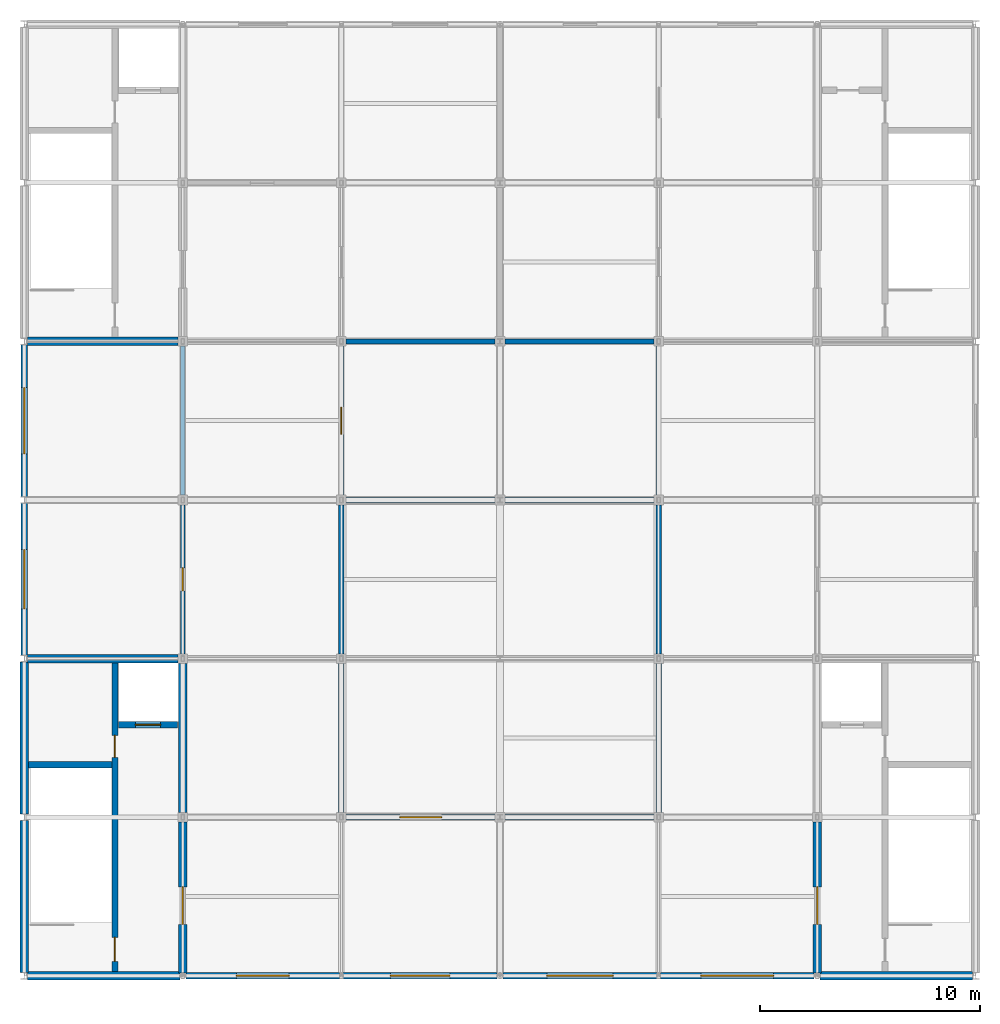
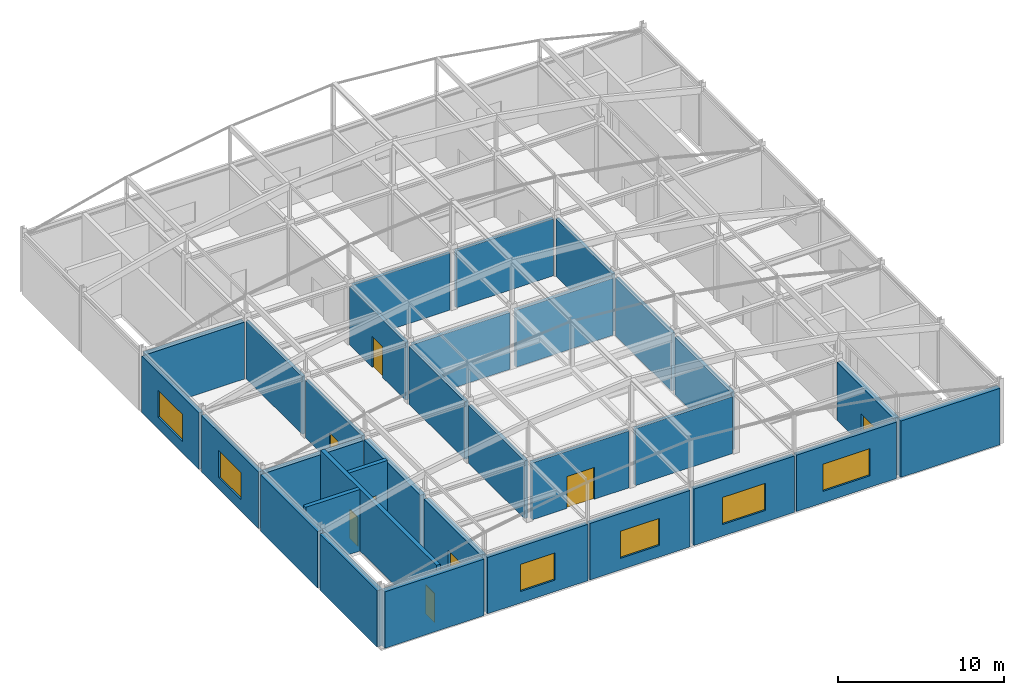
# One storey, part 20 of 23: 32 walls, 8 doors, 6 windows, 14 openings.
"""IFC4 building model written with IfcOpenShell, lengths in metres."""

import ifcopenshell
import ifcopenshell.guid

model = None  # the IFC model being written
_history = None  # IfcOwnerHistory: only IFC2X3 demands one
_inside = {}  # id of a spatial element -> (the spatial element, [elements in it])
_under = {}  # id of a project, library or spatial element -> (it, [spatial elements below it])
_declared = {}  # id of a project -> (the project, [libraries it declares])
_typed = {}  # id of a type object -> (the type object, [elements of that type])
_made_of = {}  # id of a material, layer set ... -> (it, [elements and type objects made of it])


def new_model(schema):
    """Start an empty IFC model of exactly this schema.

    Asked for "IFC4X3", IfcOpenShell would pick the latest addendum, in which some entities
    have other attributes; the version numbers below select the first issue.
    IFC2X3 requires an IfcOwnerHistory on every rooted entity: one is made here for all.
    """
    global model, _history
    if schema == "IFC4X3":
        model = ifcopenshell.file(schema_version=(4, 3, 0, 0))
    else:
        model = ifcopenshell.file(schema=schema)
    _inside.clear()
    _under.clear()
    _declared.clear()
    _typed.clear()
    _made_of.clear()
    _history = None
    if model.schema == "IFC2X3":
        org = make("IfcOrganization", Name="unknown")
        user = make(
            "IfcPersonAndOrganization",
            ThePerson=make("IfcPerson", FamilyName="unknown"),
            TheOrganization=org,
        )
        app = make(
            "IfcApplication",
            ApplicationDeveloper=org,
            Version="unknown",
            ApplicationFullName="unknown",
            ApplicationIdentifier="unknown",
        )
        _history = make(
            "IfcOwnerHistory",
            OwningUser=user,
            OwningApplication=app,
            ChangeAction="ADDED",
            CreationDate=0,
        )
    return model


def make(cls, **values):
    """One entity of the class cls with the attributes given. An attribute that is None is left unset."""
    return model.create_entity(
        cls, **{name: value for name, value in values.items() if value is not None}
    )


def rooted(cls, **values):
    """An entity with a GlobalId (a new one), such as an element, a storey or a relation."""
    return make(cls, GlobalId=ifcopenshell.guid.new(), OwnerHistory=_history, **values)


def si_unit(unit_type, name, prefix=None):
    """IfcSIUnit, for example si_unit("LENGTHUNIT", "METRE", prefix="MILLI")."""
    return make("IfcSIUnit", UnitType=unit_type, Prefix=prefix, Name=name)


def assignment(units):
    """IfcUnitAssignment: the units of a project."""
    return None if units is None else make("IfcUnitAssignment", Units=units)


def point(xyz):
    """IfcCartesianPoint."""
    return None if xyz is None else make("IfcCartesianPoint", Coordinates=xyz)


def direction(xyz):
    """IfcDirection."""
    return None if xyz is None else make("IfcDirection", DirectionRatios=xyz)


def frame(location, z_axis=None, x_axis=None):
    """IfcAxis2Placement3D, a coordinate frame: its origin and axes. An axis left out is left unset."""
    return make(
        "IfcAxis2Placement3D",
        Location=point(location),
        Axis=direction(z_axis),
        RefDirection=direction(x_axis),
    )


def frame_2d(location, x_axis=None):
    """IfcAxis2Placement2D, a coordinate frame in the plane: its origin and x axis."""
    return make(
        "IfcAxis2Placement2D", Location=point(location), RefDirection=direction(x_axis)
    )


def origin():
    """The frame at (0, 0, 0) with its axes left unset."""
    return frame((0.0, 0.0, 0.0))


def place(relative_to, where):
    """IfcLocalPlacement: puts the frame where relative to a parent placement (None: the world)."""
    return make(
        "IfcLocalPlacement", PlacementRelTo=relative_to, RelativePlacement=where
    )


def context(
    kind, dimensions, precision=None, world=None, true_north=None, identifier=None
):
    """IfcGeometricRepresentationContext, for example the 3D "Model" context."""
    return make(
        "IfcGeometricRepresentationContext",
        ContextIdentifier=identifier,
        ContextType=kind,
        CoordinateSpaceDimension=dimensions,
        Precision=precision,
        WorldCoordinateSystem=world,
        TrueNorth=true_north,
    )


def subcontext(parent, identifier, kind, view, scale=None):
    """IfcGeometricRepresentationSubContext, for example "Body" below "Model"."""
    return make(
        "IfcGeometricRepresentationSubContext",
        ContextIdentifier=identifier,
        ContextType=kind,
        ParentContext=parent,
        TargetScale=scale,
        TargetView=view,
    )


def project(units=None, contexts=None):
    """IfcProject with its units and contexts."""
    return rooted(
        "IfcProject",
        Name="project",
        RepresentationContexts=contexts,
        UnitsInContext=assignment(units),
    )


def spatial(cls, under=None, at=None, **own):
    """A site, building, storey or space (cls), placed at a placement, below another one or the project."""
    s = rooted(cls, ObjectPlacement=at, **own)
    if under is not None:
        _under.setdefault(under.id(), (under, []))[1].append(s)
    return s


def profile(cls, at=None, kind="AREA", **sizes):
    """A parametric profile (cls). Its sizes go by their IFC names, for example OverallWidth=200.0."""
    return make(cls, ProfileType=kind, Position=at, **sizes)


def rectangle(**sizes):
    """IfcRectangleProfileDef."""
    return profile("IfcRectangleProfileDef", **sizes)


def extrude(swept, where, along, depth):
    """IfcExtrudedAreaSolid: the profile swept, set in the frame where, extruded along a direction by depth."""
    return make(
        "IfcExtrudedAreaSolid",
        SweptArea=swept,
        Position=where,
        ExtrudedDirection=direction(along),
        Depth=depth,
    )


def shape(context_of_items, identifier, shape_type, items):
    """IfcShapeRepresentation: the items that make up one representation, for example the "Body"."""
    return make(
        "IfcShapeRepresentation",
        ContextOfItems=context_of_items,
        RepresentationIdentifier=identifier,
        RepresentationType=shape_type,
        Items=items,
    )


def material(Name=None, Category=None):
    """IfcMaterial."""
    return make("IfcMaterial", Name=Name, Category=Category)


def layer(
    of_material, thickness, ventilated=None, Name=None, Category=None, Priority=None
):
    """IfcMaterialLayer: one layer of a wall or slab, of a material (None: an air gap)."""
    return make(
        "IfcMaterialLayer",
        Material=of_material,
        LayerThickness=thickness,
        IsVentilated=ventilated,
        Name=Name,
        Category=Category,
        Priority=Priority,
    )


def layer_set(layers, Name=None):
    """IfcMaterialLayerSet."""
    return make("IfcMaterialLayerSet", MaterialLayers=layers, LayerSetName=Name)


def made_of(thing, what):
    """Note that an element or type object is made of a material, layer set ...; save() writes the relation."""
    if what is not None:
        _made_of.setdefault(what.id(), (what, []))[1].append(thing)
    return thing


def type_object(cls, material=None, **own):
    """A type object (cls), such as IfcWallType, which elements share."""
    return made_of(rooted(cls, **own), material)


def element(
    cls,
    number,
    at=None,
    inside=None,
    cuts=None,
    type_object=None,
    material=None,
    context=None,
    identifier="Body",
    shape_type=None,
    held_by="IfcProductDefinitionShape",
    body=None,
    shapes=None,
    **own,
):
    """One element of the class cls, such as IfcWall. Its Tag is "e" and its number.

    at: its placement. inside: the storey or other place that contains it. cuts: it is an
    opening in that element (IfcRelVoidsElement). A single representation is given by context,
    identifier, shape_type and body (its items); several are given by shapes. held_by: the class
    of the entity that holds the representations. save() writes the other relations.
    """
    e = rooted(cls, Tag="e%d" % number, ObjectPlacement=at, **own)
    if body is not None:
        shapes = [shape(context, identifier, shape_type, body)]
    if shapes is not None:
        e.Representation = make(held_by, Representations=shapes)
    if inside is not None:
        _inside.setdefault(inside.id(), (inside, []))[1].append(e)
    if cuts is not None:
        rooted(
            "IfcRelVoidsElement", RelatingBuildingElement=cuts, RelatedOpeningElement=e
        )
    if type_object is not None:
        _typed.setdefault(type_object.id(), (type_object, []))[1].append(e)
    return made_of(e, material)


def fill(opening, filler):
    """IfcRelFillsElement: the door or window that sits in an opening."""
    return rooted(
        "IfcRelFillsElement",
        RelatingOpeningElement=opening,
        RelatedBuildingElement=filler,
    )


def aggregate(whole, parts):
    """IfcRelAggregates: a whole, such as a stair, and the parts it consists of."""
    return rooted("IfcRelAggregates", RelatingObject=whole, RelatedObjects=parts)


def save(model, path):
    """Write the relations noted so far, then the file.

    IfcRelAggregates (storeys below a building ...), IfcRelContainedInSpatialStructure (elements
    in a storey), IfcRelDefinesByType, IfcRelAssociatesMaterial and IfcRelDeclares: one each for
    every whole, place, type object, material and project.
    """
    for whole, parts in _under.values():
        aggregate(whole, parts)
    for where, things in _inside.values():
        rooted(
            "IfcRelContainedInSpatialStructure",
            RelatedElements=things,
            RelatingStructure=where,
        )
    for kind, things in _typed.values():
        rooted("IfcRelDefinesByType", RelatedObjects=things, RelatingType=kind)
    for what, things in _made_of.values():
        rooted("IfcRelAssociatesMaterial", RelatedObjects=things, RelatingMaterial=what)
    for by, libraries in _declared.values():
        rooted("IfcRelDeclares", RelatingContext=by, RelatedDefinitions=libraries)
    model.write(path)


model = new_model("IFC4")

# Units and contexts
model_context = context("Model", 3, precision=1e-05, world=origin(), true_north=direction((0.0, 1.0)))
body_context = subcontext(model_context, "Body", "Model", "MODEL_VIEW")
ifc_project = project(units=[si_unit("LENGTHUNIT", "METRE"), si_unit("AREAUNIT", "SQUARE_METRE"), si_unit("VOLUMEUNIT", "CUBIC_METRE"), si_unit("PLANEANGLEUNIT", "RADIAN"), si_unit("MASSUNIT", "GRAM", prefix="KILO")], contexts=[model_context])

# Site, building, storey
site_placement = place(None, origin())
site = spatial("IfcSite", under=ifc_project, at=site_placement, CompositionType="ELEMENT")
building_placement = place(site_placement, origin())
building = spatial("IfcBuilding", under=site, at=building_placement, Name="Cendaluz Park School", CompositionType="ELEMENT")
storey_placement = place(building_placement, frame((0.0, 0.0, 67.199951171875)))
storey = spatial("IfcBuildingStorey", under=building, at=storey_placement, Name="L16", CompositionType="ELEMENT", Elevation=67.199951171875)

# Wall, opening, door
ifc_material_1 = material(Name="Gypsum Plasterboard on Cold-Formed Stud", Category="gypsum")
ifc_layer_1 = layer(ifc_material_1, 0.25)
ifc_layer_set_1 = layer_set([ifc_layer_1], Name="Gypsum Plasterboard on Cold-Formed Stud")
wall_type_1 = type_object("IfcWallType", Name="W-CP25", PredefinedType="PARTITIONING", material=ifc_layer_set_1)
wall_1_placement = place(storey_placement, frame((79.419921875, 21.60009765625, 0.0), z_axis=(0.0, 0.0, 1.0), x_axis=(1.0, 0.0, 0.0)))
wall_1 = element("IfcWall", 1, at=wall_1_placement, inside=storey, type_object=wall_type_1, Name="WL-FQ-BI8", PredefinedType="PARTITIONING", context=body_context, shape_type="SweptSolid", body=[
    extrude(rectangle(XDim=6.760009765625, YDim=0.25, at=frame_2d((3.3798828125, 0.0))), origin(), (0.0, 0.0, 1.0), 4.199951171875),
])
opening_1_placement = place(wall_1_placement, frame((2.429931640625, 0.0, 0.0)))
opening_1 = element("IfcOpeningElement", 2, at=opening_1_placement, cuts=wall_1, Name="Opening DHL-01", PredefinedType="OPENING", context=body_context, shape_type="SweptSolid", body=[
    extrude(rectangle(XDim=1.89990234375, YDim=2.35009765625, at=frame_2d((0.949951171875, 1.175048828125))), frame((0.0, 0.136962890625, 0.0), z_axis=(0.0, -1.0, 0.0), x_axis=(1.0, 0.0, 0.0)), (0.0, 0.0, 1.0), 0.27392578125),
])
ifc_material_2 = material(Name="Solid Core Hardwood", Category="wood")
door_type_1 = type_object("IfcDoorType", Name="DHL-01", OperationType="DOUBLE_DOOR_SINGLE_SWING", PredefinedType="DOOR", material=ifc_material_2)
door_1_placement = place(opening_1_placement, frame((1.89990234375, 0.0, 0.0), z_axis=(0.0, 0.0, 1.0), x_axis=(-1.0, 0.0, 0.0)))
door_1 = element("IfcDoor", 3, at=door_1_placement, inside=storey, type_object=door_type_1, Name="D-L16-017", OperationType="DOUBLE_DOOR_SINGLE_SWING", OverallHeight=2.35009765625, OverallWidth=1.89990234375, PredefinedType="DOOR", context=body_context, shape_type="SweptSolid", body=[
    extrude(rectangle(XDim=1.89990234375, YDim=2.35009765625, at=frame_2d((0.949951171875, 1.175048828125))), frame((0.0, 0.02490234375, 0.0), z_axis=(0.0, -1.0, 0.0), x_axis=(1.0, 0.0, 0.0)), (0.0, 0.0, 1.0), 0.050048828125),
])
fill(opening_1, door_1)

# Walls
wall_2_placement = place(storey_placement, frame((79.199951171875, 21.820068359375, 0.0), z_axis=(0.0, 0.0, 1.0), x_axis=(0.0, 1.0, 0.0)))
element("IfcWall", 4, at=wall_2_placement, inside=storey, type_object=wall_type_1, Name="WL-FQ-BI9", PredefinedType="PARTITIONING", context=body_context, shape_type="SweptSolid", body=[
    extrude(rectangle(XDim=6.760009765625, YDim=0.25, at=frame_2d((3.3798828125, 0.0))), origin(), (0.0, 0.0, 1.0), 4.260009765625),
])
wall_3_placement = place(storey_placement, frame((79.419921875, 36.0, 0.0), z_axis=(0.0, 0.0, 1.0), x_axis=(1.0, 0.0, 0.0)))
element("IfcWall", 5, at=wall_3_placement, inside=storey, type_object=wall_type_1, Name="WL-FQ-BJ0", PredefinedType="PARTITIONING", context=body_context, shape_type="SweptSolid", body=[
    extrude(rectangle(XDim=6.760009765625, YDim=0.25, at=frame_2d((3.3798828125, 0.0))), origin(), (0.0, 0.0, 1.0), 4.199951171875),
])
wall_4_placement = place(storey_placement, frame((79.199951171875, 29.02001953125, 0.0), z_axis=(0.0, 0.0, 1.0), x_axis=(0.0, 1.0, 0.0)))
element("IfcWall", 6, at=wall_4_placement, inside=storey, type_object=wall_type_1, Name="WL-FQ-BJ1", PredefinedType="PARTITIONING", context=body_context, shape_type="SweptSolid", body=[
    extrude(rectangle(XDim=6.760009765625, YDim=0.25, at=frame_2d((3.3798828125, 0.0))), origin(), (0.0, 0.0, 1.0), 4.260009765625),
])
wall_5_placement = place(storey_placement, frame((86.6201171875, 21.60009765625, 0.0), z_axis=(0.0, 0.0, 1.0), x_axis=(1.0, 0.0, 0.0)))
element("IfcWall", 7, at=wall_5_placement, inside=storey, type_object=wall_type_1, Name="WL-FQ-BJ2", PredefinedType="PARTITIONING", context=body_context, shape_type="SweptSolid", body=[
    extrude(rectangle(XDim=6.759765625, YDim=0.25, at=frame_2d((3.3798828125, 0.0))), origin(), (0.0, 0.0, 1.0), 4.199951171875),
])
wall_6_placement = place(storey_placement, frame((93.60009765625, 21.820068359375, 0.0), z_axis=(0.0, 0.0, 1.0), x_axis=(0.0, 1.0, 0.0)))
element("IfcWall", 8, at=wall_6_placement, inside=storey, type_object=wall_type_1, Name="WL-FQ-BJ3", PredefinedType="PARTITIONING", context=body_context, shape_type="SweptSolid", body=[
    extrude(rectangle(XDim=6.760009765625, YDim=0.25, at=frame_2d((3.3798828125, 0.0))), origin(), (0.0, 0.0, 1.0), 4.260009765625),
])
wall_7_placement = place(storey_placement, frame((86.6201171875, 36.0, 0.0), z_axis=(0.0, 0.0, 1.0), x_axis=(1.0, 0.0, 0.0)))
element("IfcWall", 9, at=wall_7_placement, inside=storey, type_object=wall_type_1, Name="WL-FQ-BJ4", PredefinedType="PARTITIONING", context=body_context, shape_type="SweptSolid", body=[
    extrude(rectangle(XDim=6.759765625, YDim=0.25, at=frame_2d((3.3798828125, 0.0))), origin(), (0.0, 0.0, 1.0), 4.199951171875),
])
wall_8_placement = place(storey_placement, frame((93.60009765625, 29.02001953125, 0.0), z_axis=(0.0, 0.0, 1.0), x_axis=(0.0, 1.0, 0.0)))
element("IfcWall", 10, at=wall_8_placement, inside=storey, type_object=wall_type_1, Name="WL-FQ-BJ5", PredefinedType="PARTITIONING", context=body_context, shape_type="SweptSolid", body=[
    extrude(rectangle(XDim=6.760009765625, YDim=0.25, at=frame_2d((3.3798828125, 0.0))), origin(), (0.0, 0.0, 1.0), 4.260009765625),
])

# Wall, opening, window
ifc_material_3 = material(Name="Cross-laminated timber CLT C24", Category="wood")
ifc_layer_2 = layer(ifc_material_3, 0.300048828125)
ifc_layer_set_2 = layer_set([ifc_layer_2], Name="Cross-laminated timber CLT C24")
wall_type_2 = type_object("IfcWallType", Name="W-EX30", PredefinedType="SOLIDWALL", material=ifc_layer_set_2)
wall_9_placement = place(storey_placement, frame((64.800048828125, 28.949951171875, 0.0), z_axis=(0.0, 0.0, 1.0), x_axis=(0.0, 1.0, 0.0)))
wall_9 = element("IfcWall", 11, at=wall_9_placement, inside=storey, type_object=wall_type_2, Name="WL-FQ-AA0", PredefinedType="SOLIDWALL", context=body_context, shape_type="SweptSolid", body=[
    extrude(rectangle(XDim=6.905029296875, YDim=0.300048828125, at=frame_2d((3.45263671875, 0.0))), origin(), (0.0, 0.0, 1.0), 4.16015625),
])
opening_2_placement = place(wall_9_placement, frame((2.1025390625, 0.0, 0.85009765625)))
opening_2 = element("IfcOpeningElement", 12, at=opening_2_placement, cuts=wall_9, Name="Opening WN-13", PredefinedType="OPENING", context=body_context, shape_type="SweptSolid", body=[
    extrude(rectangle(XDim=2.699951171875, YDim=2.0, at=frame_2d((1.35009765625, 1.0))), frame((0.0, 0.162109375, 0.0), z_axis=(0.0, -1.0, 0.0), x_axis=(1.0, 0.0, 0.0)), (0.0, 0.0, 1.0), 0.323974609375),
])
ifc_material_4 = material(Name="Tempered Low-E Double Glazing", Category="glass")
window_type_1 = type_object("IfcWindowType", Name="WN-13", PartitioningType="SINGLE_PANEL", PredefinedType="WINDOW", material=ifc_material_4)
window_1_placement = place(opening_2_placement, origin())
window_1 = element("IfcWindow", 13, at=window_1_placement, inside=storey, type_object=window_type_1, Name="WN-L16-001", OverallHeight=2.0, OverallWidth=2.699951171875, PartitioningType="SINGLE_PANEL", PredefinedType="WINDOW", context=body_context, shape_type="SweptSolid", body=[
    extrude(rectangle(XDim=2.699951171875, YDim=2.0, at=frame_2d((1.35009765625, 1.0))), frame((0.0, 0.030029296875, 0.0), z_axis=(0.0, -1.0, 0.0), x_axis=(1.0, 0.0, 0.0)), (0.0, 0.0, 1.0), 0.06005859375),
])
fill(opening_2, window_1)

wall_10_placement = place(storey_placement, frame((64.800048828125, 36.14501953125, 0.0), z_axis=(0.0, 0.0, 1.0), x_axis=(0.0, 1.0, 0.0)))
wall_10 = element("IfcWall", 14, at=wall_10_placement, inside=storey, type_object=wall_type_2, Name="WL-FQ-AA1", PredefinedType="SOLIDWALL", context=body_context, shape_type="SweptSolid", body=[
    extrude(rectangle(XDim=6.905029296875, YDim=0.300048828125, at=frame_2d((3.45263671875, 0.0))), origin(), (0.0, 0.0, 1.0), 4.16015625),
])
opening_3_placement = place(wall_10_placement, frame((1.952392578125, 0.0, 0.85009765625)))
opening_3 = element("IfcOpeningElement", 15, at=opening_3_placement, cuts=wall_10, Name="Opening WN-14", PredefinedType="OPENING", context=body_context, shape_type="SweptSolid", body=[
    extrude(rectangle(XDim=3.0, YDim=2.0, at=frame_2d((1.5, 1.0))), frame((0.0, 0.162109375, 0.0), z_axis=(0.0, -1.0, 0.0), x_axis=(1.0, 0.0, 0.0)), (0.0, 0.0, 1.0), 0.323974609375),
])
window_type_2 = type_object("IfcWindowType", Name="WN-14", PartitioningType="SINGLE_PANEL", PredefinedType="WINDOW", material=ifc_material_4)
window_2_placement = place(opening_3_placement, origin())
window_2 = element("IfcWindow", 16, at=window_2_placement, inside=storey, type_object=window_type_2, Name="WN-L16-002", OverallHeight=2.0, OverallWidth=3.0, PartitioningType="SINGLE_PANEL", PredefinedType="WINDOW", context=body_context, shape_type="SweptSolid", body=[
    extrude(rectangle(XDim=3.0, YDim=2.0, at=frame_2d((1.5, 1.0))), frame((0.0, 0.030029296875, 0.0), z_axis=(0.0, -1.0, 0.0), x_axis=(1.0, 0.0, 0.0)), (0.0, 0.0, 1.0), 0.06005859375),
])
fill(opening_3, window_2)

wall_11_placement = place(storey_placement, frame((72.136474609375, 14.39990234375, 0.0), z_axis=(0.0, 0.0, 1.0), x_axis=(1.0, 0.0, 0.0)))
wall_11 = element("IfcWall", 17, at=wall_11_placement, inside=storey, type_object=wall_type_2, Name="WL-FQ-AA2", PredefinedType="SOLIDWALL", context=body_context, shape_type="SweptSolid", body=[
    extrude(rectangle(XDim=6.988525390625, YDim=0.300048828125, at=frame_2d((3.494140625, 0.0))), origin(), (0.0, 0.0, 1.0), 4.16015625),
])
opening_4_placement = place(wall_11_placement, frame((2.294189453125, 0.0, 0.85009765625)))
opening_4 = element("IfcOpeningElement", 18, at=opening_4_placement, cuts=wall_11, Name="Opening WN-12", PredefinedType="OPENING", context=body_context, shape_type="SweptSolid", body=[
    extrude(rectangle(XDim=2.39990234375, YDim=2.0, at=frame_2d((1.199951171875, 1.0))), frame((0.0, 0.162109375, 0.0), z_axis=(0.0, -1.0, 0.0), x_axis=(1.0, 0.0, 0.0)), (0.0, 0.0, 1.0), 0.323974609375),
])
window_type_3 = type_object("IfcWindowType", Name="WN-12", PartitioningType="SINGLE_PANEL", PredefinedType="WINDOW", material=ifc_material_4)
window_3_placement = place(opening_4_placement, origin())
window_3 = element("IfcWindow", 19, at=window_3_placement, inside=storey, type_object=window_type_3, Name="WN-L16-003", OverallHeight=2.0, OverallWidth=2.39990234375, PartitioningType="SINGLE_PANEL", PredefinedType="WINDOW", context=body_context, shape_type="SweptSolid", body=[
    extrude(rectangle(XDim=2.39990234375, YDim=2.0, at=frame_2d((1.199951171875, 1.0))), frame((0.0, 0.030029296875, 0.0), z_axis=(0.0, -1.0, 0.0), x_axis=(1.0, 0.0, 0.0)), (0.0, 0.0, 1.0), 0.06005859375),
])
fill(opening_4, window_3)

wall_12_placement = place(storey_placement, frame((79.27490234375, 14.39990234375, 0.0), z_axis=(0.0, 0.0, 1.0), x_axis=(1.0, 0.0, 0.0)))
wall_12 = element("IfcWall", 20, at=wall_12_placement, inside=storey, type_object=wall_type_2, Name="WL-FQ-AA4", PredefinedType="SOLIDWALL", context=body_context, shape_type="SweptSolid", body=[
    extrude(rectangle(XDim=6.988525390625, YDim=0.300048828125, at=frame_2d((3.494140625, 0.0))), origin(), (0.0, 0.0, 1.0), 4.16015625),
])
opening_5_placement = place(wall_12_placement, frame((2.144287109375, 0.0, 0.85009765625)))
opening_5 = element("IfcOpeningElement", 21, at=opening_5_placement, cuts=wall_12, Name="Opening WN-13", PredefinedType="OPENING", context=body_context, shape_type="SweptSolid", body=[
    extrude(rectangle(XDim=2.699951171875, YDim=2.0, at=frame_2d((1.35009765625, 1.0))), frame((0.0, 0.162109375, 0.0), z_axis=(0.0, -1.0, 0.0), x_axis=(1.0, 0.0, 0.0)), (0.0, 0.0, 1.0), 0.323974609375),
])
window_4_placement = place(opening_5_placement, origin())
window_4 = element("IfcWindow", 22, at=window_4_placement, inside=storey, type_object=window_type_1, Name="WN-L16-005", OverallHeight=2.0, OverallWidth=2.699951171875, PartitioningType="SINGLE_PANEL", PredefinedType="WINDOW", context=body_context, shape_type="SweptSolid", body=[
    extrude(rectangle(XDim=2.699951171875, YDim=2.0, at=frame_2d((1.35009765625, 1.0))), frame((0.0, 0.030029296875, 0.0), z_axis=(0.0, -1.0, 0.0), x_axis=(1.0, 0.0, 0.0)), (0.0, 0.0, 1.0), 0.06005859375),
])
fill(opening_5, window_4)

wall_13_placement = place(storey_placement, frame((86.53662109375, 14.39990234375, 0.0), z_axis=(0.0, 0.0, 1.0), x_axis=(1.0, 0.0, 0.0)))
wall_13 = element("IfcWall", 23, at=wall_13_placement, inside=storey, type_object=wall_type_2, Name="WL-FQ-AA6", PredefinedType="SOLIDWALL", context=body_context, shape_type="SweptSolid", body=[
    extrude(rectangle(XDim=6.98828125, YDim=0.300048828125, at=frame_2d((3.494140625, 0.0))), origin(), (0.0, 0.0, 1.0), 4.16015625),
])
opening_6_placement = place(wall_13_placement, frame((1.994384765625, 0.0, 0.85009765625)))
opening_6 = element("IfcOpeningElement", 24, at=opening_6_placement, cuts=wall_13, Name="Opening WN-14", PredefinedType="OPENING", context=body_context, shape_type="SweptSolid", body=[
    extrude(rectangle(XDim=3.0, YDim=2.0, at=frame_2d((1.5, 1.0))), frame((0.0, 0.162109375, 0.0), z_axis=(0.0, -1.0, 0.0), x_axis=(1.0, 0.0, 0.0)), (0.0, 0.0, 1.0), 0.323974609375),
])
window_5_placement = place(opening_6_placement, origin())
window_5 = element("IfcWindow", 25, at=window_5_placement, inside=storey, type_object=window_type_2, Name="WN-L16-007", OverallHeight=2.0, OverallWidth=3.0, PartitioningType="SINGLE_PANEL", PredefinedType="WINDOW", context=body_context, shape_type="SweptSolid", body=[
    extrude(rectangle(XDim=3.0, YDim=2.0, at=frame_2d((1.5, 1.0))), frame((0.0, 0.030029296875, 0.0), z_axis=(0.0, -1.0, 0.0), x_axis=(1.0, 0.0, 0.0)), (0.0, 0.0, 1.0), 0.06005859375),
])
fill(opening_6, window_5)

wall_14_placement = place(storey_placement, frame((93.675048828125, 14.39990234375, 0.0), z_axis=(0.0, 0.0, 1.0), x_axis=(1.0, 0.0, 0.0)))
wall_14 = element("IfcWall", 26, at=wall_14_placement, inside=storey, type_object=wall_type_2, Name="WL-FQ-AA8", PredefinedType="SOLIDWALL", context=body_context, shape_type="SweptSolid", body=[
    extrude(rectangle(XDim=6.988525390625, YDim=0.300048828125, at=frame_2d((3.494140625, 0.0))), origin(), (0.0, 0.0, 1.0), 4.16015625),
])
opening_7_placement = place(wall_14_placement, frame((1.84423828125, 0.0, 0.85009765625)))
opening_7 = element("IfcOpeningElement", 27, at=opening_7_placement, cuts=wall_14, Name="Opening WN-15", PredefinedType="OPENING", context=body_context, shape_type="SweptSolid", body=[
    extrude(rectangle(XDim=3.300048828125, YDim=2.0, at=frame_2d((1.64990234375, 1.0))), frame((0.0, 0.162109375, 0.0), z_axis=(0.0, -1.0, 0.0), x_axis=(1.0, 0.0, 0.0)), (0.0, 0.0, 1.0), 0.323974609375),
])
window_type_4 = type_object("IfcWindowType", Name="WN-15", PartitioningType="SINGLE_PANEL", PredefinedType="WINDOW", material=ifc_material_4)
window_6_placement = place(opening_7_placement, origin())
window_6 = element("IfcWindow", 28, at=window_6_placement, inside=storey, type_object=window_type_4, Name="WN-L16-009", OverallHeight=2.0, OverallWidth=3.300048828125, PartitioningType="SINGLE_PANEL", PredefinedType="WINDOW", context=body_context, shape_type="SweptSolid", body=[
    extrude(rectangle(XDim=3.300048828125, YDim=2.0, at=frame_2d((1.64990234375, 1.0))), frame((0.0, 0.030029296875, 0.0), z_axis=(0.0, -1.0, 0.0), x_axis=(1.0, 0.0, 0.0)), (0.0, 0.0, 1.0), 0.06005859375),
])
fill(opening_7, window_6)

# Wall, openings, doors
ifc_material_5 = material(Name="Concrete C40/50", Category="concrete")
ifc_layer_3 = layer(ifc_material_5, 0.280029296875)
ifc_layer_set_3 = layer_set([ifc_layer_3], Name="Concrete C40/50")
wall_type_3 = type_object("IfcWallType", Name="W-FW28", PredefinedType="SHEAR", material=ifc_layer_set_3)
wall_15_placement = place(storey_placement, frame((68.919921875, 14.60009765625, 0.0), z_axis=(0.0, 0.0, 1.0), x_axis=(0.0, 1.0, 0.0)))
wall_15 = element("IfcWall", 29, at=wall_15_placement, inside=storey, type_object=wall_type_3, Name="WL-FQ-BF8", PredefinedType="SHEAR", context=body_context, shape_type="SweptSolid", body=[
    extrude(rectangle(XDim=14.0, YDim=0.280029296875, at=frame_2d((7.0, 0.0))), origin(), (0.0, 0.0, 1.0), 4.5400390625),
])
opening_8_placement = place(wall_15_placement, frame((0.449951171875, 0.0, 0.0)))
opening_8 = element("IfcOpeningElement", 30, at=opening_8_placement, cuts=wall_15, Name="Opening DST-01", PredefinedType="OPENING", context=body_context, shape_type="SweptSolid", body=[
    extrude(rectangle(XDim=1.10009765625, YDim=2.14990234375, at=frame_2d((0.550048828125, 1.074951171875))), frame((0.0, 0.152099609375, 0.0), z_axis=(0.0, -1.0, 0.0), x_axis=(1.0, 0.0, 0.0)), (0.0, 0.0, 1.0), 0.303955078125),
])
opening_9_placement = place(wall_15_placement, frame((9.719970703125, 0.0, 0.0)))
opening_9 = element("IfcOpeningElement", 31, at=opening_9_placement, cuts=wall_15, Name="Opening DFC-01", PredefinedType="OPENING", context=body_context, shape_type="SweptSolid", body=[
    extrude(rectangle(XDim=1.0, YDim=2.14990234375, at=frame_2d((0.5, 1.074951171875))), frame((0.0, 0.152099609375, 0.0), z_axis=(0.0, -1.0, 0.0), x_axis=(1.0, 0.0, 0.0)), (0.0, 0.0, 1.0), 0.303955078125),
])
door_type_2 = type_object("IfcDoorType", Name="DFC-01", OperationType="NOTDEFINED", PredefinedType="DOOR", material=ifc_material_2)
door_2_placement = place(opening_9_placement, origin())
door_2 = element("IfcDoor", 32, at=door_2_placement, inside=storey, type_object=door_type_2, Name="D-L16-003", OperationType="SINGLE_SWING_RIGHT", OverallHeight=2.14990234375, OverallWidth=1.0, PredefinedType="DOOR", context=body_context, shape_type="SweptSolid", body=[
    extrude(rectangle(XDim=1.0, YDim=2.14990234375, at=frame_2d((0.5, 1.074951171875))), frame((0.0, 0.02490234375, 0.0), z_axis=(0.0, -1.0, 0.0), x_axis=(1.0, 0.0, 0.0)), (0.0, 0.0, 1.0), 0.050048828125),
])
fill(opening_9, door_2)
door_type_3 = type_object("IfcDoorType", Name="DST-01", OperationType="NOTDEFINED", PredefinedType="DOOR", material=ifc_material_2)
door_3_placement = place(opening_8_placement, origin())
door_3 = element("IfcDoor", 33, at=door_3_placement, inside=storey, type_object=door_type_3, Name="D-L16-002", OperationType="SINGLE_SWING_LEFT", OverallHeight=2.14990234375, OverallWidth=1.10009765625, PredefinedType="DOOR", context=body_context, shape_type="SweptSolid", body=[
    extrude(rectangle(XDim=1.10009765625, YDim=2.14990234375, at=frame_2d((0.550048828125, 1.074951171875))), frame((0.0, 0.02490234375, 0.0), z_axis=(0.0, -1.0, 0.0), x_axis=(1.0, 0.0, 0.0)), (0.0, 0.0, 1.0), 0.050048828125),
])
fill(opening_8, door_3)

# Wall
wall_16_placement = place(storey_placement, frame((65.0, 23.97998046875, 0.0), z_axis=(0.0, 0.0, 1.0), x_axis=(1.0, 0.0, 0.0)))
element("IfcWall", 34, at=wall_16_placement, inside=storey, type_object=wall_type_3, Name="WL-FQ-BF9", PredefinedType="SHEAR", context=body_context, shape_type="SweptSolid", body=[
    extrude(rectangle(XDim=3.780029296875, YDim=0.280029296875, at=frame_2d((1.89013671875, 0.0))), origin(), (0.0, 0.0, 1.0), 4.5400390625),
])

# Wall, opening, door
wall_17_placement = place(storey_placement, frame((69.080078125, 25.800048828125, 0.0), z_axis=(0.0, 0.0, 1.0), x_axis=(1.0, 0.0, 0.0)))
wall_17 = element("IfcWall", 35, at=wall_17_placement, inside=storey, type_object=wall_type_3, Name="WL-FQ-BG0", PredefinedType="SHEAR", context=body_context, shape_type="SweptSolid", body=[
    extrude(rectangle(XDim=2.679931640625, YDim=0.280029296875, at=frame_2d((1.33984375, 0.0))), origin(), (0.0, 0.0, 1.0), 4.5400390625),
])
opening_10_placement = place(wall_17_placement, frame((0.764892578125, 0.0, 0.0)))
opening_10 = element("IfcOpeningElement", 36, at=opening_10_placement, cuts=wall_17, Name="Opening LD-01", PredefinedType="OPENING", context=body_context, shape_type="SweptSolid", body=[
    extrude(rectangle(XDim=1.14990234375, YDim=2.199951171875, at=frame_2d((0.574951171875, 1.10009765625))), frame((0.0, 0.152099609375, 0.0), z_axis=(0.0, -1.0, 0.0), x_axis=(1.0, 0.0, 0.0)), (0.0, 0.0, 1.0), 0.303955078125),
])
ifc_material_6 = material(Name="Stainless Steel 316L", Category="steel")
door_type_4 = type_object("IfcDoorType", Name="LD-01", OperationType="DOUBLE_DOOR_SLIDING", PredefinedType="DOOR", material=ifc_material_6)
door_4_placement = place(opening_10_placement, frame((1.14990234375, 0.0, 0.0), z_axis=(0.0, 0.0, 1.0), x_axis=(-1.0, 0.0, 0.0)))
door_4 = element("IfcDoor", 37, at=door_4_placement, inside=storey, type_object=door_type_4, Name="D-L16-004", OperationType="DOUBLE_DOOR_SLIDING", OverallHeight=2.199951171875, OverallWidth=1.14990234375, PredefinedType="DOOR", context=body_context, shape_type="SweptSolid", body=[
    extrude(rectangle(XDim=1.14990234375, YDim=2.199951171875, at=frame_2d((0.574951171875, 1.10009765625))), frame((0.0, 0.02490234375, 0.0), z_axis=(0.0, -1.0, 0.0), x_axis=(1.0, 0.0, 0.0)), (0.0, 0.0, 1.0), 0.050048828125),
])
fill(opening_10, door_4)

# Wall
ifc_layer_4 = layer(ifc_material_1, 0.219970703125)
ifc_layer_set_4 = layer_set([ifc_layer_4], Name="Gypsum Plasterboard on Cold-Formed Stud")
wall_type_4 = type_object("IfcWallType", Name="W-LB22", PredefinedType="PARTITIONING", material=ifc_layer_set_4)
wall_18_placement = place(storey_placement, frame((79.419921875, 43.199951171875, 0.0), z_axis=(0.0, 0.0, 1.0), x_axis=(1.0, 0.0, 0.0)))
element("IfcWall", 38, at=wall_18_placement, inside=storey, type_object=wall_type_4, Name="WL-FQ-BJ6", PredefinedType="PARTITIONING", context=body_context, shape_type="SweptSolid", body=[
    extrude(rectangle(XDim=6.760009765625, YDim=0.219970703125, at=frame_2d((3.3798828125, 0.0))), origin(), (0.0, 0.0, 1.0), 4.199951171875),
])

# Wall, opening, door
wall_19_placement = place(storey_placement, frame((79.199951171875, 36.219970703125, 0.0), z_axis=(0.0, 0.0, 1.0), x_axis=(0.0, 1.0, 0.0)))
wall_19 = element("IfcWall", 39, at=wall_19_placement, inside=storey, type_object=wall_type_4, Name="WL-FQ-BJ7", PredefinedType="PARTITIONING", context=body_context, shape_type="SweptSolid", body=[
    extrude(rectangle(XDim=6.760009765625, YDim=0.219970703125, at=frame_2d((3.3798828125, 0.0))), origin(), (0.0, 0.0, 1.0), 4.260009765625),
])
opening_11_placement = place(wall_19_placement, frame((2.760009765625, 0.0, 0.0)))
opening_11 = element("IfcOpeningElement", 40, at=opening_11_placement, cuts=wall_19, Name="Opening DCL-09", PredefinedType="OPENING", context=body_context, shape_type="SweptSolid", body=[
    extrude(rectangle(XDim=1.239990234375, YDim=2.260009765625, at=frame_2d((0.6201171875, 1.1298828125))), frame((0.0, 0.1220703125, 0.0), z_axis=(0.0, -1.0, 0.0), x_axis=(1.0, 0.0, 0.0)), (0.0, 0.0, 1.0), 0.243896484375),
])
door_type_5 = type_object("IfcDoorType", Name="DCL-09", OperationType="NOTDEFINED", PredefinedType="DOOR", material=ifc_material_2)
door_5_placement = place(opening_11_placement, origin())
door_5 = element("IfcDoor", 41, at=door_5_placement, inside=storey, type_object=door_type_5, Name="D-L16-018", OperationType="SINGLE_SWING_RIGHT", OverallHeight=2.260009765625, OverallWidth=1.239990234375, PredefinedType="DOOR", context=body_context, shape_type="SweptSolid", body=[
    extrude(rectangle(XDim=1.239990234375, YDim=2.260009765625, at=frame_2d((0.6201171875, 1.1298828125))), frame((0.0, 0.02490234375, 0.0), z_axis=(0.0, -1.0, 0.0), x_axis=(1.0, 0.0, 0.0)), (0.0, 0.0, 1.0), 0.050048828125),
])
fill(opening_11, door_5)

# Walls
wall_20_placement = place(storey_placement, frame((86.6201171875, 43.199951171875, 0.0), z_axis=(0.0, 0.0, 1.0), x_axis=(1.0, 0.0, 0.0)))
element("IfcWall", 42, at=wall_20_placement, inside=storey, type_object=wall_type_4, Name="WL-FQ-BJ8", PredefinedType="PARTITIONING", context=body_context, shape_type="SweptSolid", body=[
    extrude(rectangle(XDim=6.759765625, YDim=0.219970703125, at=frame_2d((3.3798828125, 0.0))), origin(), (0.0, 0.0, 1.0), 4.199951171875),
])
wall_21_placement = place(storey_placement, frame((93.60009765625, 36.219970703125, 0.0), z_axis=(0.0, 0.0, 1.0), x_axis=(0.0, 1.0, 0.0)))
element("IfcWall", 43, at=wall_21_placement, inside=storey, type_object=wall_type_4, Name="WL-FQ-BJ9", PredefinedType="PARTITIONING", context=body_context, shape_type="SweptSolid", body=[
    extrude(rectangle(XDim=6.760009765625, YDim=0.219970703125, at=frame_2d((3.3798828125, 0.0))), origin(), (0.0, 0.0, 1.0), 4.260009765625),
])

# Wall, opening, door
wall_22_placement = place(storey_placement, frame((72.0, 29.02001953125, 0.0), z_axis=(0.0, 0.0, 1.0), x_axis=(0.0, 1.0, 0.0)))
wall_22 = element("IfcWall", 44, at=wall_22_placement, inside=storey, type_object=wall_type_4, Name="WL-FQ-BK7", PredefinedType="PARTITIONING", context=body_context, shape_type="SweptSolid", body=[
    extrude(rectangle(XDim=6.760009765625, YDim=0.219970703125, at=frame_2d((3.3798828125, 0.0))), origin(), (0.0, 0.0, 1.0), 4.260009765625),
])
opening_12_placement = place(wall_22_placement, frame((2.860107421875, 0.0, 0.0)))
opening_12 = element("IfcOpeningElement", 45, at=opening_12_placement, cuts=wall_22, Name="Opening DCL-03", PredefinedType="OPENING", context=body_context, shape_type="SweptSolid", body=[
    extrude(rectangle(XDim=1.0400390625, YDim=2.139892578125, at=frame_2d((0.52001953125, 1.06982421875))), frame((0.0, 0.1220703125, 0.0), z_axis=(0.0, -1.0, 0.0), x_axis=(1.0, 0.0, 0.0)), (0.0, 0.0, 1.0), 0.243896484375),
])
door_type_6 = type_object("IfcDoorType", Name="DCL-03", OperationType="NOTDEFINED", PredefinedType="DOOR", material=ifc_material_2)
door_6_placement = place(opening_12_placement, frame((1.0400390625, 0.0, 0.0), z_axis=(0.0, 0.0, 1.0), x_axis=(-1.0, 0.0, 0.0)))
door_6 = element("IfcDoor", 46, at=door_6_placement, inside=storey, type_object=door_type_6, Name="D-L16-022", OperationType="SINGLE_SWING_LEFT", OverallHeight=2.139892578125, OverallWidth=1.0400390625, PredefinedType="DOOR", context=body_context, shape_type="SweptSolid", body=[
    extrude(rectangle(XDim=1.0400390625, YDim=2.139892578125, at=frame_2d((0.52001953125, 1.06982421875))), frame((0.0, 0.02490234375, 0.0), z_axis=(0.0, -1.0, 0.0), x_axis=(1.0, 0.0, 0.0)), (0.0, 0.0, 1.0), 0.050048828125),
])
fill(opening_12, door_6)

# Walls
wall_23_placement = place(storey_placement, frame((72.0, 36.219970703125, 0.0), z_axis=(0.0, 0.0, 1.0), x_axis=(0.0, 1.0, 0.0)))
element("IfcWall", 47, at=wall_23_placement, inside=storey, type_object=wall_type_4, Name="WL-FQ-BK8", PredefinedType="PARTITIONING", context=body_context, shape_type="SweptSolid", body=[
    extrude(rectangle(XDim=6.760009765625, YDim=0.219970703125, at=frame_2d((3.3798828125, 0.0))), origin(), (0.0, 0.0, 1.0), 4.260009765625),
])
ifc_layer_5 = layer(ifc_material_5, 0.3798828125)
ifc_layer_set_5 = layer_set([ifc_layer_5], Name="Concrete C40/50")
wall_type_5 = type_object("IfcWallType", Name="W-SH38", PredefinedType="SHEAR", material=ifc_layer_set_5)
wall_24_placement = place(storey_placement, frame((64.800048828125, 14.550048828125, 0.0), z_axis=(0.0, 0.0, 1.0), x_axis=(0.0, 1.0, 0.0)))
element("IfcWall", 48, at=wall_24_placement, inside=storey, type_object=wall_type_5, Name="WL-FQ-BF2", PredefinedType="SHEAR", context=body_context, shape_type="SweptSolid", body=[
    extrude(rectangle(XDim=6.905029296875, YDim=0.3798828125, at=frame_2d((3.45263671875, 0.0))), origin(), (0.0, 0.0, 1.0), 4.16015625),
])
wall_25_placement = place(storey_placement, frame((64.800048828125, 21.7451171875, 0.0), z_axis=(0.0, 0.0, 1.0), x_axis=(0.0, 1.0, 0.0)))
element("IfcWall", 49, at=wall_25_placement, inside=storey, type_object=wall_type_5, Name="WL-FQ-BF3", PredefinedType="SHEAR", context=body_context, shape_type="SweptSolid", body=[
    extrude(rectangle(XDim=6.90478515625, YDim=0.3798828125, at=frame_2d((3.452392578125, 0.0))), origin(), (0.0, 0.0, 1.0), 4.16015625),
])

# Wall, opening, door
wall_26_placement = place(storey_placement, frame((72.0, 14.53662109375, 0.0), z_axis=(0.0, 0.0, 1.0), x_axis=(0.0, 1.0, 0.0)))
wall_26 = element("IfcWall", 50, at=wall_26_placement, inside=storey, type_object=wall_type_5, Name="WL-FQ-BF4", PredefinedType="SHEAR", context=body_context, shape_type="SweptSolid", body=[
    extrude(rectangle(XDim=6.84326171875, YDim=0.3798828125, at=frame_2d((3.421630859375, 0.0))), origin(), (0.0, 0.0, 1.0), 4.260009765625),
])
opening_13_placement = place(wall_26_placement, frame((2.199951171875, 0.0, 0.0)))
opening_13 = element("IfcOpeningElement", 51, at=opening_13_placement, cuts=wall_26, Name="Opening DLB-02", PredefinedType="OPENING", context=body_context, shape_type="SweptSolid", body=[
    extrude(rectangle(XDim=1.699951171875, YDim=2.25, at=frame_2d((0.85009765625, 1.125))), frame((0.0, 0.201904296875, 0.0), z_axis=(0.0, -1.0, 0.0), x_axis=(1.0, 0.0, 0.0)), (0.0, 0.0, 1.0), 0.40380859375),
])
door_type_7 = type_object("IfcDoorType", Name="DLB-02", OperationType="DOUBLE_DOOR_SINGLE_SWING", PredefinedType="DOOR", material=ifc_material_2)
door_7_placement = place(opening_13_placement, origin())
door_7 = element("IfcDoor", 52, at=door_7_placement, inside=storey, type_object=door_type_7, Name="D-L16-001", OperationType="DOUBLE_DOOR_SINGLE_SWING", OverallHeight=2.25, OverallWidth=1.699951171875, PredefinedType="DOOR", context=body_context, shape_type="SweptSolid", body=[
    extrude(rectangle(XDim=1.699951171875, YDim=2.25, at=frame_2d((0.85009765625, 1.125))), frame((0.0, 0.02490234375, 0.0), z_axis=(0.0, -1.0, 0.0), x_axis=(1.0, 0.0, 0.0)), (0.0, 0.0, 1.0), 0.050048828125),
])
fill(opening_13, door_7)

# Walls
wall_27_placement = place(storey_placement, frame((72.0, 21.820068359375, 0.0), z_axis=(0.0, 0.0, 1.0), x_axis=(0.0, 1.0, 0.0)))
element("IfcWall", 53, at=wall_27_placement, inside=storey, type_object=wall_type_5, Name="WL-FQ-BF5", PredefinedType="SHEAR", context=body_context, shape_type="SweptSolid", body=[
    extrude(rectangle(XDim=6.760009765625, YDim=0.3798828125, at=frame_2d((3.3798828125, 0.0))), origin(), (0.0, 0.0, 1.0), 4.260009765625),
])
wall_28_placement = place(storey_placement, frame((64.949951171875, 14.39990234375, 0.0), z_axis=(0.0, 0.0, 1.0), x_axis=(1.0, 0.0, 0.0)))
element("IfcWall", 54, at=wall_28_placement, inside=storey, type_object=wall_type_5, Name="WL-FQ-BF6", PredefinedType="SHEAR", context=body_context, shape_type="SweptSolid", body=[
    extrude(rectangle(XDim=6.91357421875, YDim=0.3798828125, at=frame_2d((3.456787109375, 0.0))), origin(), (0.0, 0.0, 1.0), 4.16015625),
])
wall_29_placement = place(storey_placement, frame((64.949951171875, 28.800048828125, 0.0), z_axis=(0.0, 0.0, 1.0), x_axis=(1.0, 0.0, 0.0)))
element("IfcWall", 55, at=wall_29_placement, inside=storey, type_object=wall_type_5, Name="WL-FQ-BF7", PredefinedType="SHEAR", context=body_context, shape_type="SweptSolid", body=[
    extrude(rectangle(XDim=6.830078125, YDim=0.3798828125, at=frame_2d((3.4150390625, 0.0))), origin(), (0.0, 0.0, 1.0), 4.199951171875),
])

# Wall, opening, door
wall_30_placement = place(storey_placement, frame((100.800048828125, 14.53662109375, 0.0), z_axis=(0.0, 0.0, 1.0), x_axis=(0.0, 1.0, 0.0)))
wall_30 = element("IfcWall", 56, at=wall_30_placement, inside=storey, type_object=wall_type_5, Name="WL-FQ-BG1", PredefinedType="SHEAR", context=body_context, shape_type="SweptSolid", body=[
    extrude(rectangle(XDim=6.84326171875, YDim=0.3798828125, at=frame_2d((3.421630859375, 0.0))), origin(), (0.0, 0.0, 1.0), 4.260009765625),
])
opening_14_placement = place(wall_30_placement, frame((2.199951171875, 0.0, 0.0)))
opening_14 = element("IfcOpeningElement", 57, at=opening_14_placement, cuts=wall_30, Name="Opening DLB-02", PredefinedType="OPENING", context=body_context, shape_type="SweptSolid", body=[
    extrude(rectangle(XDim=1.699951171875, YDim=2.25, at=frame_2d((0.85009765625, 1.125))), frame((0.0, 0.201904296875, 0.0), z_axis=(0.0, -1.0, 0.0), x_axis=(1.0, 0.0, 0.0)), (0.0, 0.0, 1.0), 0.40380859375),
])
door_8_placement = place(opening_14_placement, frame((1.699951171875, 0.0, 0.0), z_axis=(0.0, 0.0, 1.0), x_axis=(-1.0, 0.0, 0.0)))
door_8 = element("IfcDoor", 58, at=door_8_placement, inside=storey, type_object=door_type_7, Name="D-L16-005", OperationType="DOUBLE_DOOR_SINGLE_SWING", OverallHeight=2.25, OverallWidth=1.699951171875, PredefinedType="DOOR", context=body_context, shape_type="SweptSolid", body=[
    extrude(rectangle(XDim=1.699951171875, YDim=2.25, at=frame_2d((0.85009765625, 1.125))), frame((0.0, 0.02490234375, 0.0), z_axis=(0.0, -1.0, 0.0), x_axis=(1.0, 0.0, 0.0)), (0.0, 0.0, 1.0), 0.050048828125),
])
fill(opening_14, door_8)

# Walls
wall_31_placement = place(storey_placement, frame((100.9365234375, 14.39990234375, 0.0), z_axis=(0.0, 0.0, 1.0), x_axis=(1.0, 0.0, 0.0)))
element("IfcWall", 59, at=wall_31_placement, inside=storey, type_object=wall_type_5, Name="WL-FQ-BG5", PredefinedType="SHEAR", context=body_context, shape_type="SweptSolid", body=[
    extrude(rectangle(XDim=6.91357421875, YDim=0.3798828125, at=frame_2d((3.456787109375, 0.0))), origin(), (0.0, 0.0, 1.0), 4.16015625),
])
wall_32_placement = place(storey_placement, frame((64.949951171875, 43.199951171875, 0.0), z_axis=(0.0, 0.0, 1.0), x_axis=(1.0, 0.0, 0.0)))
element("IfcWall", 60, at=wall_32_placement, inside=storey, type_object=wall_type_5, Name="WL-FQ-BH4", PredefinedType="SHEAR", context=body_context, shape_type="SweptSolid", body=[
    extrude(rectangle(XDim=6.830078125, YDim=0.3798828125, at=frame_2d((3.4150390625, 0.0))), origin(), (0.0, 0.0, 1.0), 4.199951171875),
])

save(model, "model.ifc")
